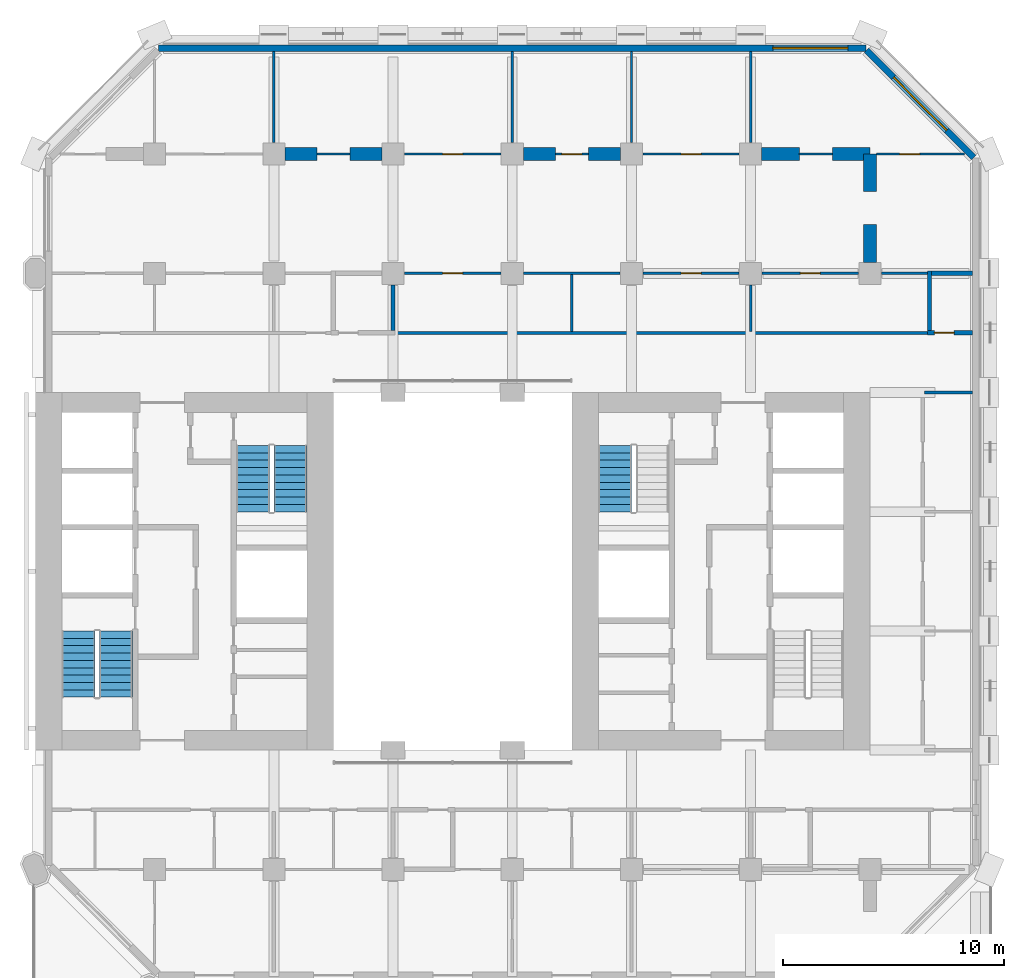
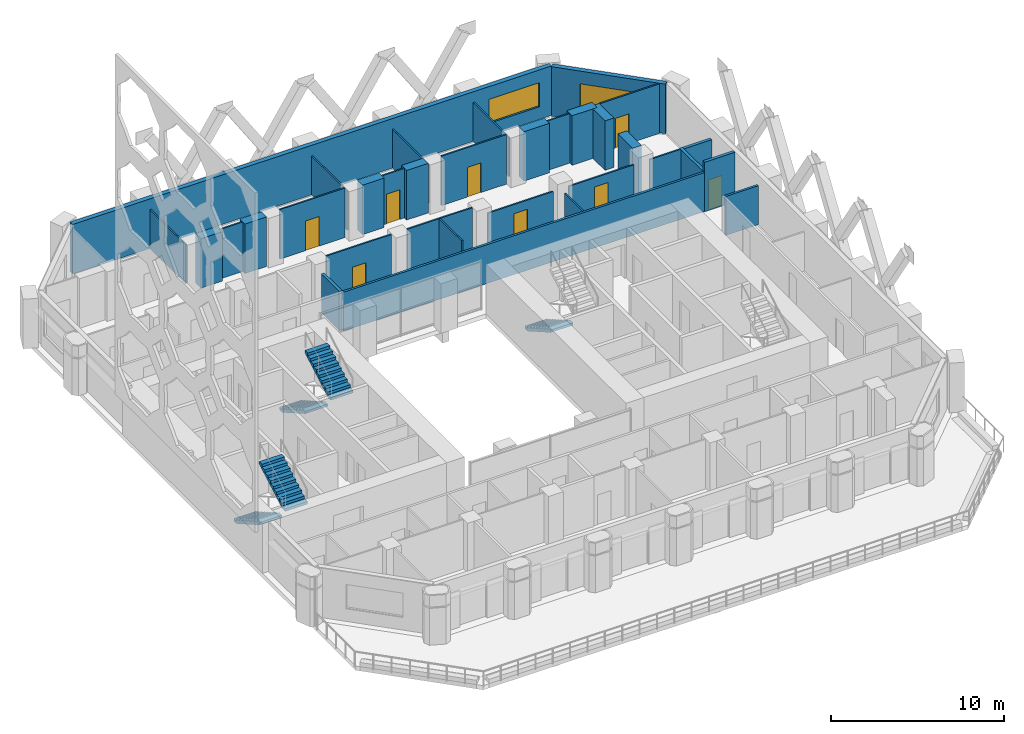
# One storey, part 12 of 16: 33 walls, 8 doors, 5 stair flights, 2 windows, 10 openings, 3 elements without a shape of their own.
"""IFC4 building model written with IfcOpenShell, lengths in metres."""

from ifc_helpers import new_model, si_unit, direction, frame, frame_2d, origin, place, context, subcontext, project, spatial, polyline, rectangle, outline, extrude, material, layer, layer_set, type_object, element, fill, aggregate, save


model = new_model("IFC4")

# Units and contexts
model_context = context("Model", 3, precision=1e-05, world=origin(), true_north=direction((0.0, 1.0)))
body_context = subcontext(model_context, "Body", "Model", "MODEL_VIEW")
ifc_project = project(units=[si_unit("LENGTHUNIT", "METRE"), si_unit("AREAUNIT", "SQUARE_METRE"), si_unit("VOLUMEUNIT", "CUBIC_METRE"), si_unit("PLANEANGLEUNIT", "RADIAN"), si_unit("MASSUNIT", "GRAM", prefix="KILO")], contexts=[model_context])

# Site, building, storey
site_placement = place(None, origin())
site = spatial("IfcSite", under=ifc_project, at=site_placement, CompositionType="ELEMENT")
building_placement = place(site_placement, origin())
building = spatial("IfcBuilding", under=site, at=building_placement, Name="Tabaq Tower and Sports Hall", CompositionType="ELEMENT")
storey_placement = place(building_placement, frame((0.0, 0.0, 65.0)))
storey = spatial("IfcBuildingStorey", under=building, at=storey_placement, Name="L14", CompositionType="ELEMENT", Elevation=65.0)

# Wall, opening, door
ifc_material_1 = material(Name="Blockwork", Category="masonry")
ifc_layer_1 = layer(ifc_material_1, 0.199951171875)
ifc_layer_set_1 = layer_set([ifc_layer_1], Name="Fire compartment wall 200 Blockwork")
wall_type_1 = type_object("IfcWallType", Name="Fire compartment wall 200 Blockwork", PredefinedType="PARTITIONING", material=ifc_layer_set_1)
wall_1_placement = place(storey_placement, frame((45.800048828125, 35.10009765625, 0.0), z_axis=(0.0, 0.0, 1.0), x_axis=(1.0, 0.0, 0.0)))
wall_1 = element("IfcWall", 1, at=wall_1_placement, inside=storey, type_object=wall_type_1, Name="Compartment wall L14", PredefinedType="PARTITIONING", context=body_context, shape_type="SweptSolid", body=[
    extrude(rectangle(XDim=2.049072265625, YDim=0.199951171875, at=frame_2d((1.0244140625, 0.0))), origin(), (0.0, 0.0, 1.0), 3.5),
])
opening_1_placement = place(wall_1_placement, frame((0.320068359375, 0.0, 0.0)))
opening_1 = element("IfcOpeningElement", 2, at=opening_1_placement, cuts=wall_1, Name="Opening L14-003", PredefinedType="OPENING", context=body_context, shape_type="SweptSolid", body=[
    extrude(rectangle(XDim=0.89990234375, YDim=2.10009765625, at=frame_2d((0.449951171875, 1.050048828125))), frame((0.0, 0.10009765625, 0.0), z_axis=(0.0, -1.0, 0.0), x_axis=(1.0, 0.0, 0.0)), (0.0, 0.0, 1.0), 0.199951171875),
])
ifc_material_2 = material(Name="Steel fire door", Category="steel")
door_type_1 = type_object("IfcDoorType", Name="Plant room door 900 left hand", OperationType="SINGLE_SWING_LEFT", PredefinedType="DOOR", material=ifc_material_2)
door_1_placement = place(opening_1_placement, origin())
door_1 = element("IfcDoor", 3, at=door_1_placement, inside=storey, type_object=door_type_1, Name="Plant room door L14-003", OperationType="SINGLE_SWING_LEFT", OverallHeight=2.10009765625, OverallWidth=0.89990234375, PredefinedType="DOOR", context=body_context, shape_type="SweptSolid", body=[
    extrude(rectangle(XDim=0.89990234375, YDim=2.10009765625, at=frame_2d((0.449951171875, 1.050048828125))), frame((0.0, 0.02490234375, 0.0), z_axis=(0.0, -1.0, 0.0), x_axis=(1.0, 0.0, 0.0)), (0.0, 0.0, 1.0), 0.050048828125),
])
fill(opening_1, door_1)

# Walls
wall_2_placement = place(storey_placement, frame((21.60009765625, 35.199951171875, 0.0), z_axis=(0.0, 0.0, 1.0), x_axis=(0.0, 1.0, 0.0)))
element("IfcWall", 4, at=wall_2_placement, inside=storey, type_object=wall_type_1, Name="Compartment wall L14", PredefinedType="PARTITIONING", context=body_context, shape_type="SweptSolid", body=[
    extrude(rectangle(XDim=2.080078125, YDim=0.199951171875, at=frame_2d((1.0400390625, 0.0))), origin(), (0.0, 0.0, 1.0), 2.75),
])
wall_3_placement = place(storey_placement, frame((45.89990234375, 35.199951171875, 0.0), z_axis=(0.0, 0.0, 1.0), x_axis=(0.0, 1.0, 0.0)))
element("IfcWall", 5, at=wall_3_placement, inside=storey, type_object=wall_type_1, Name="Compartment wall L14", PredefinedType="PARTITIONING", context=body_context, shape_type="SweptSolid", body=[
    extrude(rectangle(XDim=2.699951171875, YDim=0.199951171875, at=frame_2d((1.35009765625, 0.0))), origin(), (0.0, 0.0, 1.0), 2.75),
])
wall_4_placement = place(storey_placement, frame((46.0, 37.800048828125, 0.0), z_axis=(0.0, 0.0, 1.0), x_axis=(1.0, 0.0, 0.0)))
element("IfcWall", 6, at=wall_4_placement, inside=storey, type_object=wall_type_1, Name="Compartment wall L14", PredefinedType="PARTITIONING", context=body_context, shape_type="SweptSolid", body=[
    extrude(rectangle(XDim=1.84912109375, YDim=0.199951171875, at=frame_2d((0.924560546875, 0.0))), origin(), (0.0, 0.0, 1.0), 2.75),
])
ifc_material_3 = material(Name="Gypsum board on steel studs", Category="steel")
ifc_layer_2 = layer(ifc_material_3, 0.10009765625)
ifc_layer_set_2 = layer_set([ifc_layer_2], Name="Partition 100 Gypsum board")
wall_type_2 = type_object("IfcWallType", Name="Partition 100 Gypsum board", PredefinedType="PARTITIONING", material=ifc_layer_set_2)
wall_5_placement = place(storey_placement, frame((29.699951171875, 35.175048828125, 0.0), z_axis=(0.0, 0.0, 1.0), x_axis=(0.0, 1.0, 0.0)))
element("IfcWall", 7, at=wall_5_placement, inside=storey, type_object=wall_type_2, Name="Partition wall L14", PredefinedType="PARTITIONING", context=body_context, shape_type="SweptSolid", body=[
    extrude(rectangle(XDim=2.574951171875, YDim=0.10009765625, at=frame_2d((1.28759765625, 0.0))), origin(), (0.0, 0.0, 1.0), 3.5),
])

# Wall, opening, door
wall_6_placement = place(storey_placement, frame((26.47998046875, 37.800048828125, 0.0), z_axis=(0.0, 0.0, 1.0), x_axis=(-1.0, 0.0, 0.0)))
wall_6 = element("IfcWall", 8, at=wall_6_placement, inside=storey, type_object=wall_type_2, Name="Partition wall L14", PredefinedType="PARTITIONING", context=body_context, shape_type="SweptSolid", body=[
    extrude(rectangle(XDim=4.35986328125, YDim=0.10009765625, at=frame_2d((2.179931640625, 0.0))), origin(), (0.0, 0.0, 1.0), 3.5),
])
opening_2_placement = place(wall_6_placement, frame((1.72998046875, 0.0, 0.0)))
opening_2 = element("IfcOpeningElement", 9, at=opening_2_placement, cuts=wall_6, Name="Opening L14-014", PredefinedType="OPENING", context=body_context, shape_type="SweptSolid", body=[
    extrude(rectangle(XDim=0.89990234375, YDim=2.10009765625, at=frame_2d((0.449951171875, 1.050048828125))), frame((0.0, 0.050048828125, 0.0), z_axis=(0.0, -1.0, 0.0), x_axis=(1.0, 0.0, 0.0)), (0.0, 0.0, 1.0), 0.10009765625),
])
ifc_material_4 = material(Name="Timber leaf in steel frame", Category="steel")
door_type_2 = type_object("IfcDoorType", Name="Internal door 900 right hand", OperationType="SINGLE_SWING_RIGHT", PredefinedType="DOOR", material=ifc_material_4)
door_2_placement = place(opening_2_placement, origin())
door_2 = element("IfcDoor", 10, at=door_2_placement, inside=storey, type_object=door_type_2, Name="Internal door L14-014", OperationType="SINGLE_SWING_RIGHT", OverallHeight=2.10009765625, OverallWidth=0.89990234375, PredefinedType="DOOR", context=body_context, shape_type="SweptSolid", body=[
    extrude(rectangle(XDim=0.89990234375, YDim=2.10009765625, at=frame_2d((0.449951171875, 1.050048828125))), frame((0.0, 0.02490234375, 0.0), z_axis=(0.0, -1.0, 0.0), x_axis=(1.0, 0.0, 0.0)), (0.0, 0.0, 1.0), 0.050048828125),
])
fill(opening_2, door_2)

# Wall
wall_7_placement = place(storey_placement, frame((37.800048828125, 35.175048828125, 0.0), z_axis=(0.0, 0.0, 1.0), x_axis=(0.0, 1.0, 0.0)))
element("IfcWall", 11, at=wall_7_placement, inside=storey, type_object=wall_type_2, Name="Partition wall L14", PredefinedType="PARTITIONING", context=body_context, shape_type="SweptSolid", body=[
    extrude(rectangle(XDim=2.10498046875, YDim=0.10009765625, at=frame_2d((1.052490234375, 0.0))), origin(), (0.0, 0.0, 1.0), 2.75),
])

# Wall, opening, door
wall_8_placement = place(storey_placement, frame((37.280029296875, 37.800048828125, 0.0), z_axis=(0.0, 0.0, 1.0), x_axis=(-1.0, 0.0, 0.0)))
wall_8 = element("IfcWall", 12, at=wall_8_placement, inside=storey, type_object=wall_type_2, Name="Partition wall L14", PredefinedType="PARTITIONING", context=body_context, shape_type="SweptSolid", body=[
    extrude(rectangle(XDim=4.360107421875, YDim=0.10009765625, at=frame_2d((2.18017578125, 0.0))), origin(), (0.0, 0.0, 1.0), 2.75),
])
opening_3_placement = place(wall_8_placement, frame((1.72998046875, 0.0, 0.0)))
opening_3 = element("IfcOpeningElement", 13, at=opening_3_placement, cuts=wall_8, Name="Opening L14-015", PredefinedType="OPENING", context=body_context, shape_type="SweptSolid", body=[
    extrude(rectangle(XDim=0.89990234375, YDim=2.10009765625, at=frame_2d((0.449951171875, 1.050048828125))), frame((0.0, 0.050048828125, 0.0), z_axis=(0.0, -1.0, 0.0), x_axis=(1.0, 0.0, 0.0)), (0.0, 0.0, 1.0), 0.10009765625),
])
ifc_material_5 = material(Name="Timber leaf in steel frame", Category="steel")
door_type_3 = type_object("IfcDoorType", Name="Internal door 900 left hand", OperationType="SINGLE_SWING_LEFT", PredefinedType="DOOR", material=ifc_material_5)
door_3_placement = place(opening_3_placement, origin())
door_3 = element("IfcDoor", 14, at=door_3_placement, inside=storey, type_object=door_type_3, Name="Internal door L14-015", OperationType="SINGLE_SWING_LEFT", OverallHeight=2.10009765625, OverallWidth=0.89990234375, PredefinedType="DOOR", context=body_context, shape_type="SweptSolid", body=[
    extrude(rectangle(XDim=0.89990234375, YDim=2.10009765625, at=frame_2d((0.449951171875, 1.050048828125))), frame((0.0, 0.02490234375, 0.0), z_axis=(0.0, -1.0, 0.0), x_axis=(1.0, 0.0, 0.0)), (0.0, 0.0, 1.0), 0.050048828125),
])
fill(opening_3, door_3)

# Walls
wall_9_placement = place(storey_placement, frame((31.8798828125, 37.800048828125, 0.0), z_axis=(0.0, 0.0, 1.0), x_axis=(-1.0, 0.0, 0.0)))
element("IfcWall", 15, at=wall_9_placement, inside=storey, type_object=wall_type_2, Name="Partition wall L14", PredefinedType="PARTITIONING", context=body_context, shape_type="SweptSolid", body=[
    extrude(rectangle(XDim=4.35986328125, YDim=0.10009765625, at=frame_2d((2.179931640625, 0.0))), origin(), (0.0, 0.0, 1.0), 3.5),
])
wall_10_placement = place(storey_placement, frame((45.800048828125, 37.800048828125, 0.0), z_axis=(0.0, 0.0, 1.0), x_axis=(-1.0, 0.0, 0.0)))
element("IfcWall", 16, at=wall_10_placement, inside=storey, type_object=wall_type_2, Name="Partition wall L14", PredefinedType="PARTITIONING", context=body_context, shape_type="SweptSolid", body=[
    extrude(rectangle(XDim=2.080078125, YDim=0.10009765625, at=frame_2d((1.0400390625, 0.0))), origin(), (0.0, 0.0, 1.0), 2.75),
])

# Wall, opening, door
wall_11_placement = place(storey_placement, frame((42.679931640625, 37.800048828125, 0.0), z_axis=(0.0, 0.0, 1.0), x_axis=(-1.0, 0.0, 0.0)))
wall_11 = element("IfcWall", 17, at=wall_11_placement, inside=storey, type_object=wall_type_2, Name="Partition wall L14", PredefinedType="PARTITIONING", context=body_context, shape_type="SweptSolid", body=[
    extrude(rectangle(XDim=4.35986328125, YDim=0.10009765625, at=frame_2d((2.179931640625, 0.0))), origin(), (0.0, 0.0, 1.0), 2.75),
])
opening_4_placement = place(wall_11_placement, frame((1.72998046875, 0.0, 0.0)))
opening_4 = element("IfcOpeningElement", 18, at=opening_4_placement, cuts=wall_11, Name="Opening L14-016", PredefinedType="OPENING", context=body_context, shape_type="SweptSolid", body=[
    extrude(rectangle(XDim=0.89990234375, YDim=2.10009765625, at=frame_2d((0.449951171875, 1.050048828125))), frame((0.0, 0.050048828125, 0.0), z_axis=(0.0, -1.0, 0.0), x_axis=(1.0, 0.0, 0.0)), (0.0, 0.0, 1.0), 0.10009765625),
])
door_4_placement = place(opening_4_placement, origin())
door_4 = element("IfcDoor", 19, at=door_4_placement, inside=storey, type_object=door_type_3, Name="Internal door L14-016", OperationType="SINGLE_SWING_LEFT", OverallHeight=2.10009765625, OverallWidth=0.89990234375, PredefinedType="DOOR", context=body_context, shape_type="SweptSolid", body=[
    extrude(rectangle(XDim=0.89990234375, YDim=2.10009765625, at=frame_2d((0.449951171875, 1.050048828125))), frame((0.0, 0.02490234375, 0.0), z_axis=(0.0, -1.0, 0.0), x_axis=(1.0, 0.0, 0.0)), (0.0, 0.0, 1.0), 0.050048828125),
])
fill(opening_4, door_4)

wall_12_placement = place(storey_placement, frame((47.48779296875, 43.199951171875, 0.0), z_axis=(0.0, 0.0, 1.0), x_axis=(-1.0, 0.0, 0.0)))
wall_12 = element("IfcWall", 20, at=wall_12_placement, inside=storey, type_object=wall_type_2, Name="Partition wall L14", PredefinedType="PARTITIONING", context=body_context, shape_type="SweptSolid", body=[
    extrude(rectangle(XDim=3.98681640625, YDim=0.10009765625, at=frame_2d((1.993408203125, 0.0))), origin(), (0.0, 0.0, 1.0), 3.5),
])
opening_5_placement = place(wall_12_placement, frame((2.037841796875, 0.0, 0.0)))
opening_5 = element("IfcOpeningElement", 21, at=opening_5_placement, cuts=wall_12, Name="Opening L14-022", PredefinedType="OPENING", context=body_context, shape_type="SweptSolid", body=[
    extrude(rectangle(XDim=0.89990234375, YDim=2.10009765625, at=frame_2d((0.449951171875, 1.050048828125))), frame((0.0, 0.050048828125, 0.0), z_axis=(0.0, -1.0, 0.0), x_axis=(1.0, 0.0, 0.0)), (0.0, 0.0, 1.0), 0.10009765625),
])
door_5_placement = place(opening_5_placement, origin())
door_5 = element("IfcDoor", 22, at=door_5_placement, inside=storey, type_object=door_type_3, Name="Internal door L14-022", OperationType="SINGLE_SWING_LEFT", OverallHeight=2.10009765625, OverallWidth=0.89990234375, PredefinedType="DOOR", context=body_context, shape_type="SweptSolid", body=[
    extrude(rectangle(XDim=0.89990234375, YDim=2.10009765625, at=frame_2d((0.449951171875, 1.050048828125))), frame((0.0, 0.02490234375, 0.0), z_axis=(0.0, -1.0, 0.0), x_axis=(1.0, 0.0, 0.0)), (0.0, 0.0, 1.0), 0.050048828125),
])
fill(opening_5, door_5)

# Wall
wall_13_placement = place(storey_placement, frame((41.5, 43.199951171875, 0.0), z_axis=(0.0, 0.0, 1.0), x_axis=(-1.0, 0.0, 0.0)))
element("IfcWall", 23, at=wall_13_placement, inside=storey, type_object=wall_type_2, Name="Partition wall L14", PredefinedType="PARTITIONING", context=body_context, shape_type="SweptSolid", body=[
    extrude(rectangle(XDim=1.5, YDim=0.10009765625, at=frame_2d((0.75, 0.0))), origin(), (0.0, 0.0, 1.0), 3.5),
])

# Wall, opening, door
wall_14_placement = place(storey_placement, frame((37.280029296875, 43.199951171875, 0.0), z_axis=(0.0, 0.0, 1.0), x_axis=(-1.0, 0.0, 0.0)))
wall_14 = element("IfcWall", 24, at=wall_14_placement, inside=storey, type_object=wall_type_2, Name="Partition wall L14", PredefinedType="PARTITIONING", context=body_context, shape_type="SweptSolid", body=[
    extrude(rectangle(XDim=4.360107421875, YDim=0.10009765625, at=frame_2d((2.18017578125, 0.0))), origin(), (0.0, 0.0, 1.0), 3.5),
])
opening_6_placement = place(wall_14_placement, frame((1.72998046875, 0.0, 0.0)))
opening_6 = element("IfcOpeningElement", 25, at=opening_6_placement, cuts=wall_14, Name="Opening L14-021", PredefinedType="OPENING", context=body_context, shape_type="SweptSolid", body=[
    extrude(rectangle(XDim=0.89990234375, YDim=2.10009765625, at=frame_2d((0.449951171875, 1.050048828125))), frame((0.0, 0.050048828125, 0.0), z_axis=(0.0, -1.0, 0.0), x_axis=(1.0, 0.0, 0.0)), (0.0, 0.0, 1.0), 0.10009765625),
])
door_6_placement = place(opening_6_placement, origin())
door_6 = element("IfcDoor", 26, at=door_6_placement, inside=storey, type_object=door_type_3, Name="Internal door L14-021", OperationType="SINGLE_SWING_LEFT", OverallHeight=2.10009765625, OverallWidth=0.89990234375, PredefinedType="DOOR", context=body_context, shape_type="SweptSolid", body=[
    extrude(rectangle(XDim=0.89990234375, YDim=2.10009765625, at=frame_2d((0.449951171875, 1.050048828125))), frame((0.0, 0.02490234375, 0.0), z_axis=(0.0, -1.0, 0.0), x_axis=(1.0, 0.0, 0.0)), (0.0, 0.0, 1.0), 0.050048828125),
])
fill(opening_6, door_6)

wall_15_placement = place(storey_placement, frame((30.449951171875, 43.199951171875, 0.0), z_axis=(0.0, 0.0, 1.0), x_axis=(-1.0, 0.0, 0.0)))
wall_15 = element("IfcWall", 27, at=wall_15_placement, inside=storey, type_object=wall_type_2, Name="Partition wall L14", PredefinedType="PARTITIONING", context=body_context, shape_type="SweptSolid", body=[
    extrude(rectangle(XDim=1.5, YDim=0.10009765625, at=frame_2d((0.75, 0.0))), origin(), (0.0, 0.0, 1.0), 3.5),
])
opening_7_placement = place(wall_15_placement, frame((0.300048828125, 0.0, 0.0)))
opening_7 = element("IfcOpeningElement", 28, at=opening_7_placement, cuts=wall_15, Name="Opening L14-020", PredefinedType="OPENING", context=body_context, shape_type="SweptSolid", body=[
    extrude(rectangle(XDim=0.89990234375, YDim=2.10009765625, at=frame_2d((0.449951171875, 1.050048828125))), frame((0.0, 0.050048828125, 0.0), z_axis=(0.0, -1.0, 0.0), x_axis=(1.0, 0.0, 0.0)), (0.0, 0.0, 1.0), 0.10009765625),
])
door_7_placement = place(opening_7_placement, origin())
door_7 = element("IfcDoor", 29, at=door_7_placement, inside=storey, type_object=door_type_2, Name="Internal door L14-020", OperationType="SINGLE_SWING_RIGHT", OverallHeight=2.10009765625, OverallWidth=0.89990234375, PredefinedType="DOOR", context=body_context, shape_type="SweptSolid", body=[
    extrude(rectangle(XDim=0.89990234375, YDim=2.10009765625, at=frame_2d((0.449951171875, 1.050048828125))), frame((0.0, 0.02490234375, 0.0), z_axis=(0.0, -1.0, 0.0), x_axis=(1.0, 0.0, 0.0)), (0.0, 0.0, 1.0), 0.050048828125),
])
fill(opening_7, door_7)

wall_16_placement = place(storey_placement, frame((26.47998046875, 43.199951171875, 0.0), z_axis=(0.0, 0.0, 1.0), x_axis=(-1.0, 0.0, 0.0)))
wall_16 = element("IfcWall", 30, at=wall_16_placement, inside=storey, type_object=wall_type_2, Name="Partition wall L14", PredefinedType="PARTITIONING", context=body_context, shape_type="SweptSolid", body=[
    extrude(rectangle(XDim=4.35986328125, YDim=0.10009765625, at=frame_2d((2.179931640625, 0.0))), origin(), (0.0, 0.0, 1.0), 3.5),
])
opening_8_placement = place(wall_16_placement, frame((1.72998046875, 0.0, 0.0)))
opening_8 = element("IfcOpeningElement", 31, at=opening_8_placement, cuts=wall_16, Name="Opening L14-019", PredefinedType="OPENING", context=body_context, shape_type="SweptSolid", body=[
    extrude(rectangle(XDim=0.89990234375, YDim=2.10009765625, at=frame_2d((0.449951171875, 1.050048828125))), frame((0.0, 0.050048828125, 0.0), z_axis=(0.0, -1.0, 0.0), x_axis=(1.0, 0.0, 0.0)), (0.0, 0.0, 1.0), 0.10009765625),
])
door_8_placement = place(opening_8_placement, origin())
door_8 = element("IfcDoor", 32, at=door_8_placement, inside=storey, type_object=door_type_2, Name="Internal door L14-019", OperationType="SINGLE_SWING_RIGHT", OverallHeight=2.10009765625, OverallWidth=0.89990234375, PredefinedType="DOOR", context=body_context, shape_type="SweptSolid", body=[
    extrude(rectangle(XDim=0.89990234375, YDim=2.10009765625, at=frame_2d((0.449951171875, 1.050048828125))), frame((0.0, 0.02490234375, 0.0), z_axis=(0.0, -1.0, 0.0), x_axis=(1.0, 0.0, 0.0)), (0.0, 0.0, 1.0), 0.050048828125),
])
fill(opening_8, door_8)

# Walls
wall_17_placement = place(storey_placement, frame((19.64990234375, 43.199951171875, 0.0), z_axis=(0.0, 0.0, 1.0), x_axis=(-1.0, 0.0, 0.0)))
element("IfcWall", 33, at=wall_17_placement, inside=storey, type_object=wall_type_2, Name="Partition wall L14", PredefinedType="PARTITIONING", context=body_context, shape_type="SweptSolid", body=[
    extrude(rectangle(XDim=1.5, YDim=0.10009765625, at=frame_2d((0.75, 0.0))), origin(), (0.0, 0.0, 1.0), 3.5),
])
for number, where, z_axis, x_axis, name in (
    (34, (16.199951171875, 43.719970703125, 0.0), (0.0, 0.0, 1.0), (0.0, 1.0, 0.0), "Partition wall L14"),
    (35, (27.0, 47.84912109375, 0.0), (0.0, 0.0, 1.0), (0.0, -1.0, 0.0), "Partition wall L14"),
    (36, (32.39990234375, 47.84912109375, 0.0), (0.0, 0.0, 1.0), (0.0, -1.0, 0.0), "Partition wall L14"),
    (37, (37.800048828125, 47.84912109375, 0.0), (0.0, 0.0, 1.0), (0.0, -1.0, 0.0), "Partition wall L14"),
):
    element("IfcWall", number, at=place(storey_placement, frame(where, z_axis=z_axis, x_axis=x_axis)), inside=storey, type_object=wall_type_2, Name=name, PredefinedType="PARTITIONING", context=body_context, shape_type="SweptSolid", body=[
        extrude(rectangle(XDim=4.129150390625, YDim=0.10009765625, at=frame_2d((2.064453125, 0.0))), origin(), (0.0, 0.0, 1.0), 2.75),
    ])
ifc_material_6 = material(Name="Concrete C60/75", Category="concrete")
ifc_layer_3 = layer(ifc_material_6, 0.60009765625)
ifc_layer_set_3 = layer_set([ifc_layer_3], Name="RC TRANSFER WALL 600 C60/75")
wall_type_3 = type_object("IfcWallType", Name="RC TRANSFER WALL 600 C60/75", PredefinedType="SHEAR", material=ifc_layer_set_3)
for number, where, z_axis, x_axis, name in (
    (38, (43.199951171875, 38.300048828125, 0.0), (0.0, 0.0, 1.0), (0.0, 1.0, 0.0), "Transfer Wall L14 East 3"),
    (39, (43.199951171875, 41.5, 0.0), (0.0, 0.0, 1.0), (0.0, 1.0, 0.0), "Transfer Wall L14 East 4"),
):
    element("IfcWall", number, at=place(storey_placement, frame(where, z_axis=z_axis, x_axis=x_axis)), inside=storey, type_object=wall_type_3, Name=name, PredefinedType="SHEAR", context=body_context, shape_type="SweptSolid", body=[
        extrude(rectangle(XDim=1.699951171875, YDim=0.60009765625, at=frame_2d((0.85009765625, 0.0))), origin(), (0.0, 0.0, 1.0), 3.5),
    ])
wall_18_placement = place(storey_placement, frame((16.699951171875, 43.199951171875, 0.0), z_axis=(0.0, 0.0, 1.0), x_axis=(1.0, 0.0, 0.0)))
element("IfcWall", 40, at=wall_18_placement, inside=storey, type_object=wall_type_3, Name="Transfer Wall L14 North 7", PredefinedType="SHEAR", context=body_context, shape_type="SweptSolid", body=[
    extrude(rectangle(XDim=1.449951171875, YDim=0.60009765625, at=frame_2d((0.72509765625, 0.0))), origin(), (0.0, 0.0, 1.0), 3.5),
])
wall_19_placement = place(storey_placement, frame((19.64990234375, 43.199951171875, 0.0), z_axis=(0.0, 0.0, 1.0), x_axis=(1.0, 0.0, 0.0)))
element("IfcWall", 41, at=wall_19_placement, inside=storey, type_object=wall_type_3, Name="Transfer Wall L14 North 8", PredefinedType="SHEAR", context=body_context, shape_type="SweptSolid", body=[
    extrude(rectangle(XDim=1.4501953125, YDim=0.60009765625, at=frame_2d((0.72509765625, 0.0))), origin(), (0.0, 0.0, 1.0), 3.5),
])
for number, where, z_axis, x_axis, name in (
    (42, (27.5, 43.199951171875, 0.0), (0.0, 0.0, 1.0), (1.0, 0.0, 0.0), "Transfer Wall L14 North 9"),
    (43, (30.449951171875, 43.199951171875, 0.0), (0.0, 0.0, 1.0), (1.0, 0.0, 0.0), "Transfer Wall L14 North 10"),
):
    element("IfcWall", number, at=place(storey_placement, frame(where, z_axis=z_axis, x_axis=x_axis)), inside=storey, type_object=wall_type_3, Name=name, PredefinedType="SHEAR", context=body_context, shape_type="SweptSolid", body=[
        extrude(rectangle(XDim=1.449951171875, YDim=0.60009765625, at=frame_2d((0.72509765625, 0.0))), origin(), (0.0, 0.0, 1.0), 3.5),
    ])
for number, where, z_axis, x_axis, name in (
    (44, (38.300048828125, 43.199951171875, 0.0), (0.0, 0.0, 1.0), (1.0, 0.0, 0.0), "Transfer Wall L14 North 11"),
    (45, (41.5, 43.199951171875, 0.0), (0.0, 0.0, 1.0), (1.0, 0.0, 0.0), "Transfer Wall L14 North 12"),
):
    element("IfcWall", number, at=place(storey_placement, frame(where, z_axis=z_axis, x_axis=x_axis)), inside=storey, type_object=wall_type_3, Name=name, PredefinedType="SHEAR", context=body_context, shape_type="SweptSolid", body=[
        extrude(rectangle(XDim=1.699951171875, YDim=0.60009765625, at=frame_2d((0.85009765625, 0.0))), origin(), (0.0, 0.0, 1.0), 3.5),
    ])
ifc_material_7 = material(Name="Blockwork", Category="masonry")
ifc_layer_4 = layer(ifc_material_7, 0.14990234375)
ifc_layer_set_4 = layer_set([ifc_layer_4], Name="Separating wall 150 Blockwork")
wall_type_4 = type_object("IfcWallType", Name="Separating wall 150 Blockwork", PredefinedType="PARTITIONING", material=ifc_layer_set_4)
wall_20_placement = place(storey_placement, frame((21.699951171875, 35.10009765625, 0.0), z_axis=(0.0, 0.0, 1.0), x_axis=(1.0, 0.0, 0.0)))
element("IfcWall", 46, at=wall_20_placement, inside=storey, type_object=wall_type_4, Name="Separating wall L14", PredefinedType="PARTITIONING", context=body_context, shape_type="SweptSolid", body=[
    extrude(rectangle(XDim=24.10009765625, YDim=0.14990234375, at=frame_2d((12.050048828125, 0.0))), origin(), (0.0, 0.0, 1.0), 2.75),
])
wall_21_placement = place(storey_placement, frame((47.84912109375, 32.39990234375, 0.0), z_axis=(0.0, 0.0, 1.0), x_axis=(-1.0, 0.0, 0.0)))
element("IfcWall", 47, at=wall_21_placement, inside=storey, type_object=wall_type_4, Name="Separating wall L14", PredefinedType="PARTITIONING", context=body_context, shape_type="SweptSolid", body=[
    extrude(rectangle(XDim=2.174072265625, YDim=0.14990234375, at=frame_2d((1.0869140625, 0.0))), origin(), (0.0, 0.0, 1.0), 2.75),
])

# Wall, opening, window
ifc_material_8 = material(Name="White precast concrete C60/75", Category="concrete")
ifc_layer_5 = layer(ifc_material_8, 0.300048828125)
ifc_layer_set_5 = layer_set([ifc_layer_5], Name="White precast concrete C60/75 external wall 300")
wall_type_5 = type_object("IfcWallType", Name="White precast concrete C60/75 external wall 300", PredefinedType="SOLIDWALL", material=ifc_layer_set_5)
wall_22_placement = place(storey_placement, frame((47.901123046875, 43.050537109375, 0.0), z_axis=(0.0, 0.0, 1.0), x_axis=(-0.707106781187, 0.707106781187, 0.0)))
wall_22 = element("IfcWall", 48, at=wall_22_placement, inside=storey, type_object=wall_type_5, Name="External Wall L14 NE", PredefinedType="SOLIDWALL", context=body_context, shape_type="SweptSolid", body=[
    extrude(rectangle(XDim=6.85986328125, YDim=0.300048828125, at=frame_2d((3.429931640625, 0.0))), origin(), (0.0, 0.0, 1.0), 3.5),
])
opening_9_placement = place(wall_22_placement, frame((1.729736328125, 0.0, 0.89990234375)))
opening_9 = element("IfcOpeningElement", 49, at=opening_9_placement, cuts=wall_22, Name="Opening W1A", PredefinedType="OPENING", context=body_context, shape_type="SweptSolid", body=[
    extrude(rectangle(XDim=3.39990234375, YDim=1.699951171875, at=frame_2d((1.699951171875, 0.85009765625))), frame((0.0, 0.16015625, 0.0), z_axis=(0.0, -1.0, 0.0), x_axis=(1.0, 0.0, 0.0)), (0.0, 0.0, 1.0), 0.320068359375),
])
ifc_material_9 = material(Name="Aluminium framed clear glazing", Category="aluminium")
window_type = type_object("IfcWindowType", Name="Window W1A", PartitioningType="SINGLE_PANEL", PredefinedType="WINDOW", material=ifc_material_9)
window_1_placement = place(opening_9_placement, origin())
window_1 = element("IfcWindow", 50, at=window_1_placement, inside=storey, type_object=window_type, Name="Window W1A L14", OverallHeight=1.699951171875, OverallWidth=3.39990234375, PartitioningType="SINGLE_PANEL", PredefinedType="WINDOW", context=body_context, shape_type="SweptSolid", body=[
    extrude(rectangle(XDim=3.39990234375, YDim=1.699951171875, at=frame_2d((1.699951171875, 0.85009765625))), frame((0.0, 0.030029296875, 0.0), z_axis=(0.0, -1.0, 0.0), x_axis=(1.0, 0.0, 0.0)), (0.0, 0.0, 1.0), 0.06005859375),
])
fill(opening_9, window_1)

wall_23_placement = place(storey_placement, frame((43.013671875, 48.0, 0.0), z_axis=(0.0, 0.0, 1.0), x_axis=(-1.0, 0.0, 0.0)))
wall_23 = element("IfcWall", 51, at=wall_23_placement, inside=storey, type_object=wall_type_5, Name="External Wall L14 N", PredefinedType="SOLIDWALL", context=body_context, shape_type="SweptSolid", body=[
    extrude(rectangle(XDim=32.02734375, YDim=0.300048828125, at=frame_2d((16.013671875, 0.0))), origin(), (0.0, 0.0, 1.0), 3.5),
])
opening_10_placement = place(wall_23_placement, frame((0.813720703125, 0.0, 0.89990234375)))
opening_10 = element("IfcOpeningElement", 52, at=opening_10_placement, cuts=wall_23, Name="Opening W1A", PredefinedType="OPENING", context=body_context, shape_type="SweptSolid", body=[
    extrude(rectangle(XDim=3.39990234375, YDim=1.699951171875, at=frame_2d((1.699951171875, 0.85009765625))), frame((0.0, 0.16015625, 0.0), z_axis=(0.0, -1.0, 0.0), x_axis=(1.0, 0.0, 0.0)), (0.0, 0.0, 1.0), 0.320068359375),
])
window_2_placement = place(opening_10_placement, origin())
window_2 = element("IfcWindow", 53, at=window_2_placement, inside=storey, type_object=window_type, Name="Window W1A L14", OverallHeight=1.699951171875, OverallWidth=3.39990234375, PartitioningType="SINGLE_PANEL", PredefinedType="WINDOW", context=body_context, shape_type="SweptSolid", body=[
    extrude(rectangle(XDim=3.39990234375, YDim=1.699951171875, at=frame_2d((1.699951171875, 0.85009765625))), frame((0.0, 0.030029296875, 0.0), z_axis=(0.0, -1.0, 0.0), x_axis=(1.0, 0.0, 0.0)), (0.0, 0.0, 1.0), 0.06005859375),
])
fill(opening_10, window_2)

# Stair, stair flights
ifc_material_10 = material(Name="Concrete C40/50", Category="concrete")
stair_type = type_object("IfcStairType", Name="Exit stair", PredefinedType="HALF_TURN_STAIR", material=ifc_material_10)
stair_1_placement = place(storey_placement, origin())
stair_1 = element("IfcStair", 54, at=stair_1_placement, inside=storey, type_object=stair_type, Name="L14 Exit stair ST1", PredefinedType="HALF_TURN_STAIR")
ifc_material_11 = material(Name="Concrete C40/50", Category="concrete")
stair_flight_type = type_object("IfcStairFlightType", Name="Exit stair flight", PredefinedType="STRAIGHT", material=ifc_material_11)
stair_flight_1_placement = place(storey_placement, frame((7.35009765625, 21.60009765625, 0.0), z_axis=(0.0, 0.0, 1.0), x_axis=(0.0, -1.0, 0.0)))
stair_flight_1 = element("IfcStairFlight", 55, at=stair_flight_1_placement, type_object=stair_flight_type, Name="ST1 flight 1", NumberOfRisers=10, NumberOfTreads=9, PredefinedType="STRAIGHT", RiserHeight=0.19, TreadLength=0.333333333, context=body_context, shape_type="SweptSolid", body=[
    extrude(outline(polyline([(0.0, 0.0), (0.0, 0.18994140625), (0.333251953125, 0.18994140625), (0.333251953125, 0.3798828125), (0.666748046875, 0.3798828125), (0.666748046875, 0.570068359375), (1.0, 0.570068359375), (1.0, 0.760009765625), (1.333251953125, 0.760009765625), (1.333251953125, 0.949951171875), (1.666748046875, 0.949951171875), (1.666748046875, 1.139892578125), (2.0, 1.139892578125), (2.0, 1.330078125), (2.333251953125, 1.330078125), (2.333251953125, 1.52001953125), (2.666748046875, 1.52001953125), (2.666748046875, 1.7099609375), (3.0, 1.7099609375), (3.0, 1.89990234375), (3.0, 1.537353515625), (0.302734375, 0.0), (0.0, 0.0)])), frame((0.0, 0.75, 0.0), z_axis=(0.0, -1.0, 0.0), x_axis=(1.0, 0.0, 0.0)), (0.0, 0.0, 1.0), 1.5),
])
stair_flight_2_placement = place(storey_placement, frame((9.050048828125, 18.60009765625, 1.89990234375), z_axis=(0.0, 0.0, 1.0), x_axis=(0.0, 1.0, 0.0)))
stair_flight_2 = element("IfcStairFlight", 56, at=stair_flight_2_placement, type_object=stair_flight_type, Name="ST1 flight 2", NumberOfRisers=10, NumberOfTreads=9, PredefinedType="STRAIGHT", RiserHeight=0.19, TreadLength=0.333333333, context=body_context, shape_type="SweptSolid", body=[
    extrude(outline(polyline([(0.0, 0.0), (0.0, 0.18994140625), (0.333251953125, 0.18994140625), (0.333251953125, 0.3798828125), (0.666748046875, 0.3798828125), (0.666748046875, 0.570068359375), (1.0, 0.570068359375), (1.0, 0.760009765625), (1.333251953125, 0.760009765625), (1.333251953125, 0.949951171875), (1.666748046875, 0.949951171875), (1.666748046875, 1.139892578125), (2.0, 1.139892578125), (2.0, 1.330078125), (2.333251953125, 1.330078125), (2.333251953125, 1.52001953125), (2.666748046875, 1.52001953125), (2.666748046875, 1.7099609375), (3.0, 1.7099609375), (3.0, 1.89990234375), (3.0, 1.537353515625), (0.302734375, 0.0), (0.0, 0.0)])), frame((0.0, 0.75, 0.0), z_axis=(0.0, -1.0, 0.0), x_axis=(1.0, 0.0, 0.0)), (0.0, 0.0, 1.0), 1.5),
])
aggregate(stair_1, [stair_flight_1, stair_flight_2])

stair_2_placement = place(storey_placement, origin())
stair_2 = element("IfcStair", 57, at=stair_2_placement, inside=storey, type_object=stair_type, Name="L14 Exit stair ST2", PredefinedType="HALF_TURN_STAIR")
stair_flight_3_placement = place(storey_placement, frame((15.25, 30.0, 0.0), z_axis=(0.0, 0.0, 1.0), x_axis=(0.0, -1.0, 0.0)))
stair_flight_3 = element("IfcStairFlight", 58, at=stair_flight_3_placement, type_object=stair_flight_type, Name="ST2 flight 1", NumberOfRisers=10, NumberOfTreads=9, PredefinedType="STRAIGHT", RiserHeight=0.19, TreadLength=0.333333333, context=body_context, shape_type="SweptSolid", body=[
    extrude(outline(polyline([(0.0, 0.0), (0.0, 0.18994140625), (0.333251953125, 0.18994140625), (0.333251953125, 0.3798828125), (0.666748046875, 0.3798828125), (0.666748046875, 0.570068359375), (1.0, 0.570068359375), (1.0, 0.760009765625), (1.333251953125, 0.760009765625), (1.333251953125, 0.949951171875), (1.666748046875, 0.949951171875), (1.666748046875, 1.139892578125), (2.0, 1.139892578125), (2.0, 1.330078125), (2.333251953125, 1.330078125), (2.333251953125, 1.52001953125), (2.666748046875, 1.52001953125), (2.666748046875, 1.7099609375), (3.0, 1.7099609375), (3.0, 1.89990234375), (3.0, 1.537353515625), (0.302734375, 0.0), (0.0, 0.0)])), frame((0.0, 0.75, 0.0), z_axis=(0.0, -1.0, 0.0), x_axis=(1.0, 0.0, 0.0)), (0.0, 0.0, 1.0), 1.5),
])
stair_flight_4_placement = place(storey_placement, frame((16.949951171875, 27.0, 1.89990234375), z_axis=(0.0, 0.0, 1.0), x_axis=(0.0, 1.0, 0.0)))
stair_flight_4 = element("IfcStairFlight", 59, at=stair_flight_4_placement, type_object=stair_flight_type, Name="ST2 flight 2", NumberOfRisers=10, NumberOfTreads=9, PredefinedType="STRAIGHT", RiserHeight=0.19, TreadLength=0.333333333, context=body_context, shape_type="SweptSolid", body=[
    extrude(outline(polyline([(0.0, 0.0), (0.0, 0.18994140625), (0.333251953125, 0.18994140625), (0.333251953125, 0.3798828125), (0.666748046875, 0.3798828125), (0.666748046875, 0.570068359375), (1.0, 0.570068359375), (1.0, 0.760009765625), (1.333251953125, 0.760009765625), (1.333251953125, 0.949951171875), (1.666748046875, 0.949951171875), (1.666748046875, 1.139892578125), (2.0, 1.139892578125), (2.0, 1.330078125), (2.333251953125, 1.330078125), (2.333251953125, 1.52001953125), (2.666748046875, 1.52001953125), (2.666748046875, 1.7099609375), (3.0, 1.7099609375), (3.0, 1.89990234375), (3.0, 1.537353515625), (0.302734375, 0.0), (0.0, 0.0)])), frame((0.0, 0.75, 0.0), z_axis=(0.0, -1.0, 0.0), x_axis=(1.0, 0.0, 0.0)), (0.0, 0.0, 1.0), 1.5),
])
aggregate(stair_2, [stair_flight_3, stair_flight_4])

# Stair, stair flight
stair_3_placement = place(storey_placement, origin())
stair_3 = element("IfcStair", 60, at=stair_3_placement, inside=storey, type_object=stair_type, Name="L14 Exit stair ST4", PredefinedType="HALF_TURN_STAIR")
stair_flight_5_placement = place(storey_placement, frame((31.64990234375, 30.0, 0.0), z_axis=(0.0, 0.0, 1.0), x_axis=(0.0, -1.0, 0.0)))
stair_flight_5 = element("IfcStairFlight", 61, at=stair_flight_5_placement, type_object=stair_flight_type, Name="ST4 flight 1", NumberOfRisers=10, NumberOfTreads=9, PredefinedType="STRAIGHT", RiserHeight=0.19, TreadLength=0.333333333, context=body_context, shape_type="SweptSolid", body=[
    extrude(outline(polyline([(0.0, 0.0), (0.0, 0.18994140625), (0.333251953125, 0.18994140625), (0.333251953125, 0.3798828125), (0.666748046875, 0.3798828125), (0.666748046875, 0.570068359375), (1.0, 0.570068359375), (1.0, 0.760009765625), (1.333251953125, 0.760009765625), (1.333251953125, 0.949951171875), (1.666748046875, 0.949951171875), (1.666748046875, 1.139892578125), (2.0, 1.139892578125), (2.0, 1.330078125), (2.333251953125, 1.330078125), (2.333251953125, 1.52001953125), (2.666748046875, 1.52001953125), (2.666748046875, 1.7099609375), (3.0, 1.7099609375), (3.0, 1.89990234375), (3.0, 1.537353515625), (0.302734375, 0.0), (0.0, 0.0)])), frame((0.0, 0.75, 0.0), z_axis=(0.0, -1.0, 0.0), x_axis=(1.0, 0.0, 0.0)), (0.0, 0.0, 1.0), 1.5),
])
aggregate(stair_3, [stair_flight_5])

save(model, "model.ifc")
